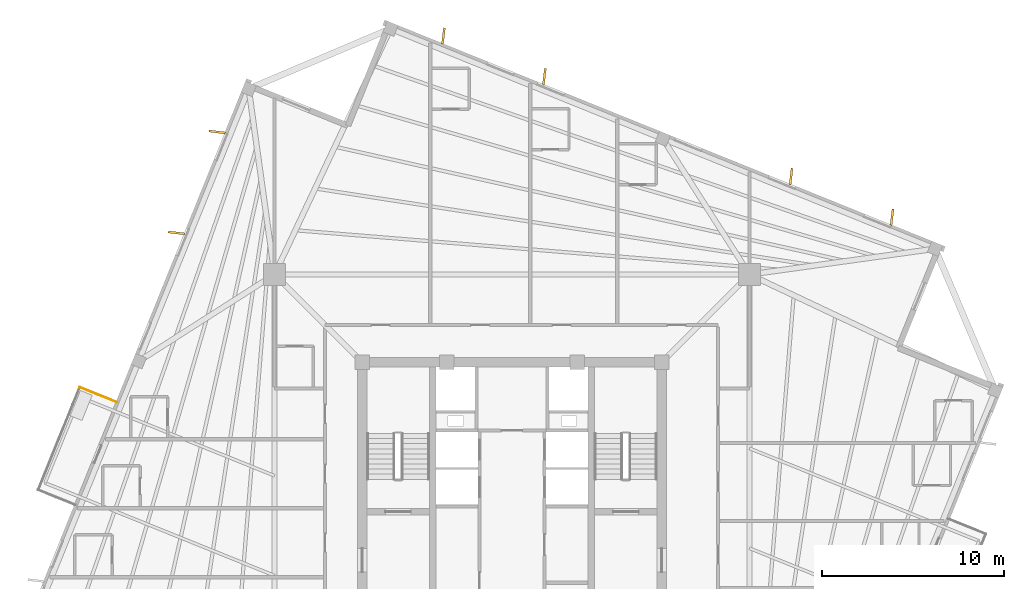
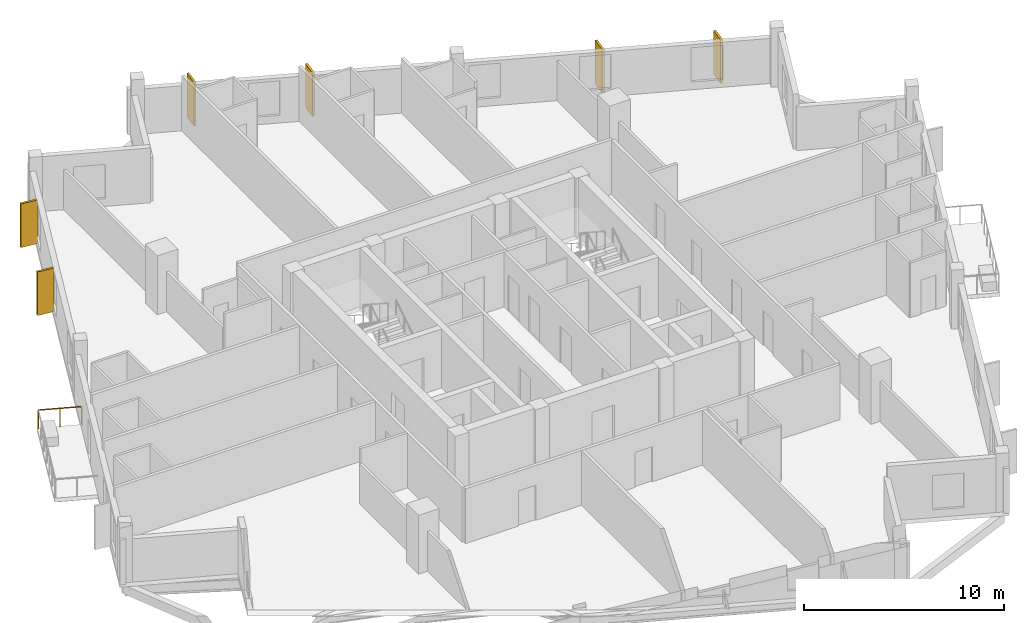
# One storey, part 9 of 9: 6 coverings, 1 railing.
"""IFC4 building model written with IfcOpenShell, lengths in metres."""

from ifc_helpers import new_model, si_unit, direction, frame, origin, origin_2d, place, context, subcontext, project, spatial, rectangle, circle, extrude, source, transform, mapped, material, layer, layer_set, type_object, element, save


model = new_model("IFC4")

# Units and contexts
model_context = context("Model", 3, precision=1e-05, world=origin(), true_north=direction((0.0, 1.0)))
body_context = subcontext(model_context, "Body", "Model", "MODEL_VIEW")
ifc_project = project(units=[si_unit("LENGTHUNIT", "METRE"), si_unit("AREAUNIT", "SQUARE_METRE"), si_unit("VOLUMEUNIT", "CUBIC_METRE"), si_unit("PLANEANGLEUNIT", "RADIAN"), si_unit("MASSUNIT", "GRAM", prefix="KILO"), si_unit("THERMODYNAMICTEMPERATUREUNIT", "KELVIN")], contexts=[model_context])

# Site, building, storey
site_placement = place(None, origin())
site = spatial("IfcSite", under=ifc_project, at=site_placement, CompositionType="ELEMENT")
building_placement = place(site_placement, origin())
building = spatial("IfcBuilding", under=site, at=building_placement, Name="Kosmvard Interchange Tower", CompositionType="ELEMENT")
storey_placement = place(building_placement, frame((0.0, 0.0, 301.199951171875)))
storey = spatial("IfcBuildingStorey", under=building, at=storey_placement, Name="L74", CompositionType="ELEMENT", Elevation=301.199951171875)

# Railing
ifc_material_1 = material(Name="Steel S355", Category="steel")
railing_type = type_object("IfcRailingType", Name="Observation & Balcony Glass-Infill Balustrade 1150", PredefinedType="BALUSTRADE", material=ifc_material_1)
shared_shape_1 = source(origin(), body_context, "Body", "SweptSolid", [
    extrude(circle(Radius=0.02392578125, at=origin_2d()), frame((0.0, 0.0, 1.1259765625), z_axis=(-0.927208487558, 0.374545618852, 0.0), x_axis=(-0.374545618852, -0.927208487558, 0.0)), (0.0, 0.0, 1.0), 2.199951171875),
    extrude(circle(Radius=0.02099609375, at=origin_2d()), origin(), (0.0, 0.0, 1.0), 1.101806640625),
    extrude(circle(Radius=0.02099609375, at=origin_2d()), frame((-1.02001953125, 0.412109375, 0.0)), (0.0, 0.0, 1.0), 1.101806640625),
    extrude(circle(Radius=0.02099609375, at=origin_2d()), frame((-2.039794921875, 0.823974609375, 0.0)), (0.0, 0.0, 1.0), 1.101806640625),
])
railing_placement = place(storey_placement, frame((-21.7705078125, 6.045654296875, 0.0)))
element("IfcRailing", 1, at=railing_placement, inside=storey, type_object=railing_type, Name="L74 Outdoor Terrace Guard BAL-L74-NE-A", PredefinedType="BALUSTRADE", context=body_context, shape_type="MappedRepresentation", body=[
    mapped(shared_shape_1, transform((0.0, 0.0, 0.0), scale=1.0)),
])

# Coverings
ifc_material_2 = material(Name="Architectural anodised aluminium", Category="aluminium")
ifc_layer = layer(ifc_material_2, 0.1201171875, Name="Architectural anodised aluminium")
ifc_layer_set = layer_set([ifc_layer], Name="Architectural anodised aluminium")
covering_type = type_object("IfcCoveringType", Name="Rotating Vertical Sun-Breaker Fin 900x120 Aluminium", PredefinedType="CLADDING", material=ifc_layer_set)
shared_shape_2 = source(origin(), body_context, "Body", "SweptSolid", [
    extrude(rectangle(XDim=0.89990234375, YDim=0.1201171875, at=origin_2d()), origin(), (0.0, 0.0, 1.0), 2.669921875),
])
for number, where, z_axis, x_axis, name in (
    (2, (20.932373046875, 16.2412109375, 0.0400390625), (0.0, 0.0, 1.0), (0.120136838835, 0.992757341929, 0.0), "L74 Rotating Vertical Sun-Breaker Fin 04"),
    (3, (15.373046875, 18.4873046875, 0.0400390625), (0.0, 0.0, 1.0), (0.120136838835, 0.992757341929, 0.0), "L74 Rotating Vertical Sun-Breaker Fin 05"),
    (4, (1.783935546875, 23.977783203125, 0.0400390625), (0.0, 0.0, 1.0), (0.120136838835, 0.992757341929, 0.0), "L74 Rotating Vertical Sun-Breaker Fin 06"),
    (5, (-3.775390625, 26.223876953125, 0.0400390625), (0.0, 0.0, 1.0), (0.120136838835, 0.992757341929, 0.0), "L74 Rotating Vertical Sun-Breaker Fin 07"),
    (6, (-16.2412109375, 20.932373046875, 0.0400390625), (0.0, 0.0, 1.0), (-0.992757341929, 0.120136838835, 0.0), "L74 Rotating Vertical Sun-Breaker Fin 08"),
    (7, (-18.4873046875, 15.373046875, 0.0400390625), (0.0, 0.0, 1.0), (-0.992757341929, 0.120136838835, 0.0), "L74 Rotating Vertical Sun-Breaker Fin 09"),
):
    element("IfcCovering", number, at=place(storey_placement, frame(where, z_axis=z_axis, x_axis=x_axis)), inside=storey, type_object=covering_type, Name=name, PredefinedType="CLADDING", context=body_context, shape_type="MappedRepresentation", body=[
        mapped(shared_shape_2, transform((0.0, 0.0, 0.0), scale=1.0)),
    ])

save(model, "model.ifc")
